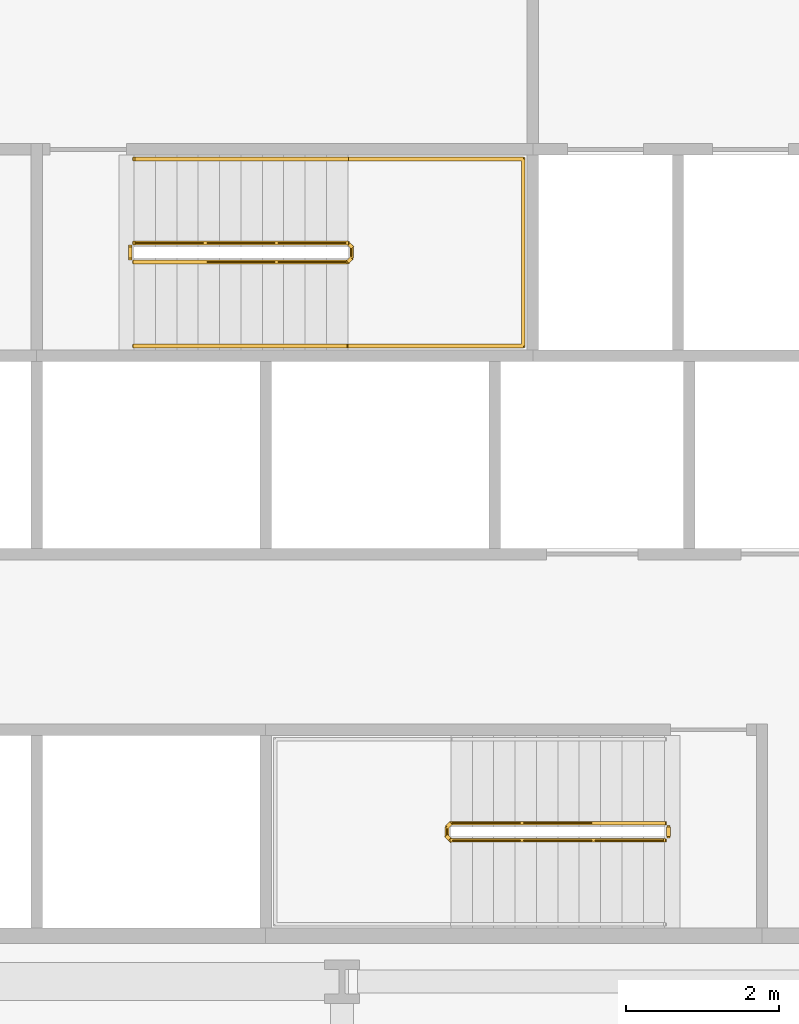
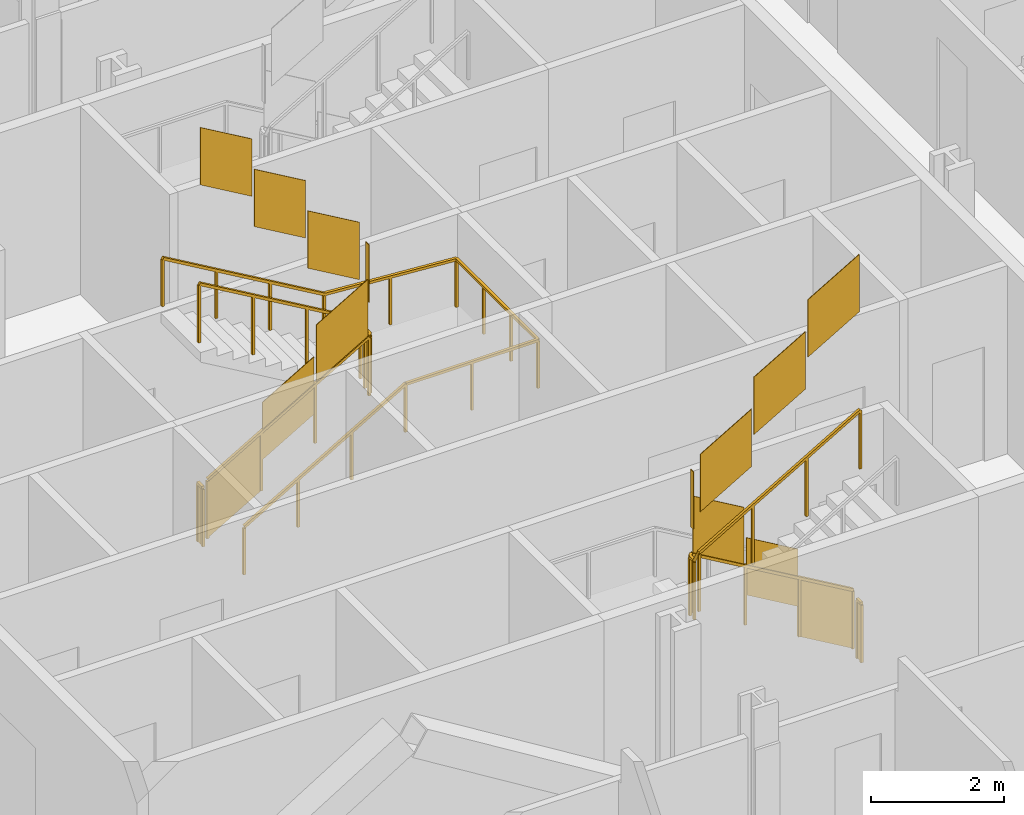
# One storey, part 18 of 21: 5 railings.
"""IFC4 building model written with IfcOpenShell, lengths in metres."""

import ifcopenshell
import ifcopenshell.guid

model = None  # the IFC model being written
_history = None  # IfcOwnerHistory: only IFC2X3 demands one
_inside = {}  # id of a spatial element -> (the spatial element, [elements in it])
_under = {}  # id of a project, library or spatial element -> (it, [spatial elements below it])
_declared = {}  # id of a project -> (the project, [libraries it declares])
_typed = {}  # id of a type object -> (the type object, [elements of that type])
_made_of = {}  # id of a material, layer set ... -> (it, [elements and type objects made of it])


def new_model(schema):
    """Start an empty IFC model of exactly this schema.

    Asked for "IFC4X3", IfcOpenShell would pick the latest addendum, in which some entities
    have other attributes; the version numbers below select the first issue.
    IFC2X3 requires an IfcOwnerHistory on every rooted entity: one is made here for all.
    """
    global model, _history
    if schema == "IFC4X3":
        model = ifcopenshell.file(schema_version=(4, 3, 0, 0))
    else:
        model = ifcopenshell.file(schema=schema)
    _inside.clear()
    _under.clear()
    _declared.clear()
    _typed.clear()
    _made_of.clear()
    _history = None
    if model.schema == "IFC2X3":
        org = make("IfcOrganization", Name="unknown")
        user = make(
            "IfcPersonAndOrganization",
            ThePerson=make("IfcPerson", FamilyName="unknown"),
            TheOrganization=org,
        )
        app = make(
            "IfcApplication",
            ApplicationDeveloper=org,
            Version="unknown",
            ApplicationFullName="unknown",
            ApplicationIdentifier="unknown",
        )
        _history = make(
            "IfcOwnerHistory",
            OwningUser=user,
            OwningApplication=app,
            ChangeAction="ADDED",
            CreationDate=0,
        )
    return model


def make(cls, **values):
    """One entity of the class cls with the attributes given. An attribute that is None is left unset."""
    return model.create_entity(
        cls, **{name: value for name, value in values.items() if value is not None}
    )


def rooted(cls, **values):
    """An entity with a GlobalId (a new one), such as an element, a storey or a relation."""
    return make(cls, GlobalId=ifcopenshell.guid.new(), OwnerHistory=_history, **values)


def si_unit(unit_type, name, prefix=None):
    """IfcSIUnit, for example si_unit("LENGTHUNIT", "METRE", prefix="MILLI")."""
    return make("IfcSIUnit", UnitType=unit_type, Prefix=prefix, Name=name)


def assignment(units):
    """IfcUnitAssignment: the units of a project."""
    return None if units is None else make("IfcUnitAssignment", Units=units)


def point(xyz):
    """IfcCartesianPoint."""
    return None if xyz is None else make("IfcCartesianPoint", Coordinates=xyz)


def direction(xyz):
    """IfcDirection."""
    return None if xyz is None else make("IfcDirection", DirectionRatios=xyz)


def frame(location, z_axis=None, x_axis=None):
    """IfcAxis2Placement3D, a coordinate frame: its origin and axes. An axis left out is left unset."""
    return make(
        "IfcAxis2Placement3D",
        Location=point(location),
        Axis=direction(z_axis),
        RefDirection=direction(x_axis),
    )


def frame_2d(location, x_axis=None):
    """IfcAxis2Placement2D, a coordinate frame in the plane: its origin and x axis."""
    return make(
        "IfcAxis2Placement2D", Location=point(location), RefDirection=direction(x_axis)
    )


def origin():
    """The frame at (0, 0, 0) with its axes left unset."""
    return frame((0.0, 0.0, 0.0))


def origin_2d():
    """The frame at (0, 0) in the plane with its x axis left unset."""
    return frame_2d((0.0, 0.0))


def place(relative_to, where):
    """IfcLocalPlacement: puts the frame where relative to a parent placement (None: the world)."""
    return make(
        "IfcLocalPlacement", PlacementRelTo=relative_to, RelativePlacement=where
    )


def context(
    kind, dimensions, precision=None, world=None, true_north=None, identifier=None
):
    """IfcGeometricRepresentationContext, for example the 3D "Model" context."""
    return make(
        "IfcGeometricRepresentationContext",
        ContextIdentifier=identifier,
        ContextType=kind,
        CoordinateSpaceDimension=dimensions,
        Precision=precision,
        WorldCoordinateSystem=world,
        TrueNorth=true_north,
    )


def subcontext(parent, identifier, kind, view, scale=None):
    """IfcGeometricRepresentationSubContext, for example "Body" below "Model"."""
    return make(
        "IfcGeometricRepresentationSubContext",
        ContextIdentifier=identifier,
        ContextType=kind,
        ParentContext=parent,
        TargetScale=scale,
        TargetView=view,
    )


def project(units=None, contexts=None):
    """IfcProject with its units and contexts."""
    return rooted(
        "IfcProject",
        Name="project",
        RepresentationContexts=contexts,
        UnitsInContext=assignment(units),
    )


def spatial(cls, under=None, at=None, **own):
    """A site, building, storey or space (cls), placed at a placement, below another one or the project."""
    s = rooted(cls, ObjectPlacement=at, **own)
    if under is not None:
        _under.setdefault(under.id(), (under, []))[1].append(s)
    return s


def polyline(points):
    """IfcPolyline through the points."""
    return make("IfcPolyline", Points=[point(p) for p in points])


def profile(cls, at=None, kind="AREA", **sizes):
    """A parametric profile (cls). Its sizes go by their IFC names, for example OverallWidth=200.0."""
    return make(cls, ProfileType=kind, Position=at, **sizes)


def rectangle(**sizes):
    """IfcRectangleProfileDef."""
    return profile("IfcRectangleProfileDef", **sizes)


def outline(outer, holes=None, kind="AREA"):
    """IfcArbitraryClosedProfileDef: a profile drawn as a closed curve; with holes, ...WithVoids."""
    if holes is None:
        return make("IfcArbitraryClosedProfileDef", ProfileType=kind, OuterCurve=outer)
    return make(
        "IfcArbitraryProfileDefWithVoids",
        ProfileType=kind,
        OuterCurve=outer,
        InnerCurves=holes,
    )


def extrude(swept, where, along, depth):
    """IfcExtrudedAreaSolid: the profile swept, set in the frame where, extruded along a direction by depth."""
    return make(
        "IfcExtrudedAreaSolid",
        SweptArea=swept,
        Position=where,
        ExtrudedDirection=direction(along),
        Depth=depth,
    )


def shape(context_of_items, identifier, shape_type, items):
    """IfcShapeRepresentation: the items that make up one representation, for example the "Body"."""
    return make(
        "IfcShapeRepresentation",
        ContextOfItems=context_of_items,
        RepresentationIdentifier=identifier,
        RepresentationType=shape_type,
        Items=items,
    )


def material(Name=None, Category=None):
    """IfcMaterial."""
    return make("IfcMaterial", Name=Name, Category=Category)


def made_of(thing, what):
    """Note that an element or type object is made of a material, layer set ...; save() writes the relation."""
    if what is not None:
        _made_of.setdefault(what.id(), (what, []))[1].append(thing)
    return thing


def type_object(cls, material=None, **own):
    """A type object (cls), such as IfcWallType, which elements share."""
    return made_of(rooted(cls, **own), material)


def element(
    cls,
    number,
    at=None,
    inside=None,
    cuts=None,
    type_object=None,
    material=None,
    context=None,
    identifier="Body",
    shape_type=None,
    held_by="IfcProductDefinitionShape",
    body=None,
    shapes=None,
    **own,
):
    """One element of the class cls, such as IfcWall. Its Tag is "e" and its number.

    at: its placement. inside: the storey or other place that contains it. cuts: it is an
    opening in that element (IfcRelVoidsElement). A single representation is given by context,
    identifier, shape_type and body (its items); several are given by shapes. held_by: the class
    of the entity that holds the representations. save() writes the other relations.
    """
    e = rooted(cls, Tag="e%d" % number, ObjectPlacement=at, **own)
    if body is not None:
        shapes = [shape(context, identifier, shape_type, body)]
    if shapes is not None:
        e.Representation = make(held_by, Representations=shapes)
    if inside is not None:
        _inside.setdefault(inside.id(), (inside, []))[1].append(e)
    if cuts is not None:
        rooted(
            "IfcRelVoidsElement", RelatingBuildingElement=cuts, RelatedOpeningElement=e
        )
    if type_object is not None:
        _typed.setdefault(type_object.id(), (type_object, []))[1].append(e)
    return made_of(e, material)


def aggregate(whole, parts):
    """IfcRelAggregates: a whole, such as a stair, and the parts it consists of."""
    return rooted("IfcRelAggregates", RelatingObject=whole, RelatedObjects=parts)


def save(model, path):
    """Write the relations noted so far, then the file.

    IfcRelAggregates (storeys below a building ...), IfcRelContainedInSpatialStructure (elements
    in a storey), IfcRelDefinesByType, IfcRelAssociatesMaterial and IfcRelDeclares: one each for
    every whole, place, type object, material and project.
    """
    for whole, parts in _under.values():
        aggregate(whole, parts)
    for where, things in _inside.values():
        rooted(
            "IfcRelContainedInSpatialStructure",
            RelatedElements=things,
            RelatingStructure=where,
        )
    for kind, things in _typed.values():
        rooted("IfcRelDefinesByType", RelatedObjects=things, RelatingType=kind)
    for what, things in _made_of.values():
        rooted("IfcRelAssociatesMaterial", RelatedObjects=things, RelatingMaterial=what)
    for by, libraries in _declared.values():
        rooted("IfcRelDeclares", RelatingContext=by, RelatedDefinitions=libraries)
    model.write(path)


model = new_model("IFC4")

# Units and contexts
model_context = context("Model", 3, precision=1e-05, world=origin(), true_north=direction((0.0, 1.0)))
body_context = subcontext(model_context, "Body", "Model", "MODEL_VIEW")
ifc_project = project(units=[si_unit("LENGTHUNIT", "METRE"), si_unit("AREAUNIT", "SQUARE_METRE"), si_unit("VOLUMEUNIT", "CUBIC_METRE"), si_unit("PLANEANGLEUNIT", "RADIAN"), si_unit("MASSUNIT", "GRAM", prefix="KILO")], contexts=[model_context])

# Site, building, storey
site_placement = place(None, origin())
site = spatial("IfcSite", under=ifc_project, at=site_placement, CompositionType="ELEMENT")
building_placement = place(site_placement, origin())
building = spatial("IfcBuilding", under=site, at=building_placement, Name="Cairn Pilgrim Tower", CompositionType="ELEMENT")
storey_placement = place(building_placement, frame((0.0, 0.0, 58.199951171875)))
storey = spatial("IfcBuildingStorey", under=building, at=storey_placement, Name="L12", CompositionType="ELEMENT", Elevation=58.199951171875)

# Railings
ifc_material = material(Name="Painted steel", Category="steel")
railing_type_1 = type_object("IfcRailingType", Name="STAIR GUARD 1100", PredefinedType="GUARDRAIL", material=ifc_material)
railing_1_placement = place(storey_placement, frame((11.425048828125, -3.925048828125, 0.16357421875)))
element("IfcRailing", 1, at=railing_1_placement, inside=storey, type_object=railing_type_1, Name="L12 ST-A stair guard 1", PredefinedType="GUARDRAIL", context=body_context, shape_type="SweptSolid", body=[
    extrude(rectangle(XDim=0.048095703125, YDim=0.048095703125, at=origin_2d()), frame((0.0, 0.0, 1.076171875), z_axis=(-0.863360870873, 0.0, 0.504586966384), x_axis=(0.0, -1.0, 0.0)), (0.0, 0.0, 1.0), 3.2431640625),
    extrude(rectangle(XDim=0.048095703125, YDim=0.048095703125, at=origin_2d()), frame((-2.800048828125, 0.0, 2.71240234375), z_axis=(-0.707106781187, -0.707106781187, 0.0), x_axis=(0.707106781187, -0.707106781187, 0.0)), (0.0, 0.0, 1.0), 0.07080078125),
    extrude(rectangle(XDim=0.048095703125, YDim=0.048095703125, at=origin_2d()), frame((-2.85009765625, -0.050048828125, 2.71240234375), z_axis=(0.0, -1.0, 0.0), x_axis=(1.0, 0.0, 0.0)), (0.0, 0.0, 1.0), 0.125),
    extrude(rectangle(XDim=0.048095703125, YDim=0.048095703125, at=origin_2d()), frame((-2.85009765625, -0.175048828125, 2.71240234375), z_axis=(0.280916556609, -0.279546231943, 0.91811752648), x_axis=(0.705375805398, 0.708833529934, 0.0)), (0.0, 0.0, 1.0), 0.17822265625),
    extrude(rectangle(XDim=0.048095703125, YDim=0.048095703125, at=origin_2d()), frame((-2.800048828125, -0.224853515625, 2.8759765625), z_axis=(0.863360870873, 0.0, 0.504586966384), x_axis=(0.0, 1.0, 0.0)), (0.0, 0.0, 1.0), 3.2431640625),
    extrude(rectangle(XDim=0.0419921875, YDim=0.0419921875, at=origin_2d()), origin(), (0.0, 0.0, 1.0), 1.052001953125),
    extrude(rectangle(XDim=0.0419921875, YDim=0.0419921875, at=origin_2d()), frame((-0.933349609375, 0.0, 0.54541015625)), (0.0, 0.0, 1.0), 1.052001953125),
    extrude(rectangle(XDim=0.0419921875, YDim=0.0419921875, at=origin_2d()), frame((-1.86669921875, 0.0, 1.091064453125)), (0.0, 0.0, 1.0), 1.052001953125),
    extrude(rectangle(XDim=0.0419921875, YDim=0.0419921875, at=origin_2d()), frame((-2.800048828125, 0.0, 1.636474609375)), (0.0, 0.0, 1.0), 1.052001953125),
    extrude(rectangle(XDim=0.0419921875, YDim=0.0419921875, at=origin_2d()), frame((-2.85009765625, -0.050048828125, 1.636474609375)), (0.0, 0.0, 1.0), 1.052001953125),
    extrude(rectangle(XDim=0.0419921875, YDim=0.0419921875, at=origin_2d()), frame((-2.85009765625, -0.175048828125, 1.636474609375)), (0.0, 0.0, 1.0), 1.052001953125),
    extrude(rectangle(XDim=0.0419921875, YDim=0.0419921875, at=origin_2d()), frame((-2.800048828125, -0.224853515625, 1.800048828125)), (0.0, 0.0, 1.0), 1.052001953125),
    extrude(rectangle(XDim=0.0419921875, YDim=0.0419921875, at=origin_2d()), frame((-1.86669921875, -0.224853515625, 2.345458984375)), (0.0, 0.0, 1.0), 1.052001953125),
    extrude(rectangle(XDim=0.0419921875, YDim=0.0419921875, at=origin_2d()), frame((-0.933349609375, -0.224853515625, 2.89111328125)), (0.0, 0.0, 1.0), 1.052001953125),
    extrude(rectangle(XDim=0.0419921875, YDim=0.0419921875, at=origin_2d()), frame((0.0, -0.224853515625, 3.4365234375)), (0.0, 0.0, 1.0), 1.052001953125),
    extrude(outline(polyline([(0.02099609375, 0.01220703125), (0.912353515625, 0.533203125), (0.912353515625, 1.585205078125), (0.02099609375, 1.064208984375), (0.02099609375, 0.01220703125)])), frame((0.0, -0.005859375, 0.0), z_axis=(0.0, 1.0, 0.0), x_axis=(-1.0, 0.0, 0.0)), (0.0, 0.0, 1.0), 0.011962890625),
    extrude(outline(polyline([(0.02099609375, 0.557861328125), (0.912353515625, 1.07861328125), (0.912353515625, 2.130615234375), (0.02099609375, 1.60986328125), (0.02099609375, 0.557861328125)])), frame((-0.933349609375, -0.005859375, 0.54541015625), z_axis=(0.0, 1.0, 0.0), x_axis=(-1.0, 0.0, 0.0)), (0.0, 0.0, 1.0), 0.011962890625),
    extrude(outline(polyline([(0.02099609375, 1.103271484375), (0.912353515625, 1.624267578125), (0.912353515625, 2.67626953125), (0.02099609375, 2.1552734375), (0.02099609375, 1.103271484375)])), frame((-1.86669921875, -0.005859375, 1.091064453125), z_axis=(0.0, 1.0, 0.0), x_axis=(-1.0, 0.0, 0.0)), (0.0, 0.0, 1.0), 0.011962890625),
    extrude(outline(polyline([(0.02099609375, 1.636474609375), (0.10400390625, 1.636474609375), (0.10400390625, 2.6884765625), (0.02099609375, 2.6884765625), (0.02099609375, 1.636474609375)])), frame((-2.84423828125, -0.050048828125, 1.636474609375), z_axis=(-1.0, 0.0, 0.0), x_axis=(0.0, -1.0, 0.0)), (0.0, 0.0, 1.0), 0.011962890625),
    extrude(outline(polyline([(0.02099609375, 1.812255859375), (0.912353515625, 2.333251953125), (0.912353515625, 3.38525390625), (0.02099609375, 2.8642578125), (0.02099609375, 1.812255859375)])), frame((-2.800048828125, -0.21875, 1.800048828125), z_axis=(0.0, -1.0, 0.0), x_axis=(1.0, 0.0, 0.0)), (0.0, 0.0, 1.0), 0.011962890625),
    extrude(outline(polyline([(0.02099609375, 2.35791015625), (0.912353515625, 2.878662109375), (0.912353515625, 3.9306640625), (0.02099609375, 3.409912109375), (0.02099609375, 2.35791015625)])), frame((-1.86669921875, -0.21875, 2.345458984375), z_axis=(0.0, -1.0, 0.0), x_axis=(1.0, 0.0, 0.0)), (0.0, 0.0, 1.0), 0.011962890625),
    extrude(outline(polyline([(0.02099609375, 2.9033203125), (0.912353515625, 3.42431640625), (0.912353515625, 4.476318359375), (0.02099609375, 3.955322265625), (0.02099609375, 2.9033203125)])), frame((-0.933349609375, -0.21875, 2.89111328125), z_axis=(0.0, -1.0, 0.0), x_axis=(1.0, 0.0, 0.0)), (0.0, 0.0, 1.0), 0.011962890625),
])
railing_2_placement = place(storey_placement, frame((11.47509765625, -3.97509765625, 0.0)))
element("IfcRailing", 2, at=railing_2_placement, inside=storey, type_object=railing_type_1, Name="L12 ST-A stair guard 2", PredefinedType="GUARDRAIL", context=body_context, shape_type="SweptSolid", body=[
    extrude(rectangle(XDim=0.048095703125, YDim=0.048095703125, at=origin_2d()), frame((0.0, 0.0, 1.076171875), z_axis=(0.0, -1.0, 0.0), x_axis=(1.0, 0.0, 0.0)), (0.0, 0.0, 1.0), 0.125),
    extrude(rectangle(XDim=0.0419921875, YDim=0.0419921875, at=origin_2d()), origin(), (0.0, 0.0, 1.0), 1.052001953125),
    extrude(rectangle(XDim=0.0419921875, YDim=0.0419921875, at=origin_2d()), frame((0.0, -0.125, 0.0)), (0.0, 0.0, 1.0), 1.052001953125),
    extrude(outline(polyline([(0.02099609375, 0.0), (0.10400390625, 0.0), (0.10400390625, 1.052001953125), (0.02099609375, 1.052001953125), (0.02099609375, 0.0)])), frame((0.005859375, 0.0, 0.0), z_axis=(-1.0, 0.0, 0.0), x_axis=(0.0, -1.0, 0.0)), (0.0, 0.0, 1.0), 0.011962890625),
])
railing_3_placement = place(storey_placement, frame((4.47509765625, 3.425048828125, 0.16357421875)))
element("IfcRailing", 3, at=railing_3_placement, inside=storey, type_object=railing_type_1, Name="L12 ST-B stair guard 1", PredefinedType="GUARDRAIL", context=body_context, shape_type="SweptSolid", body=[
    extrude(rectangle(XDim=0.048095703125, YDim=0.048095703125, at=origin_2d()), frame((0.0, 0.0, 1.076171875), z_axis=(0.863341702679, 0.0, 0.504619762213), x_axis=(0.0, 1.0, 0.0)), (0.0, 0.0, 1.0), 3.242919921875),
    extrude(rectangle(XDim=0.048095703125, YDim=0.048095703125, at=origin_2d()), frame((2.7998046875, 0.0, 2.71240234375), z_axis=(0.707106781187, 0.707106781187, 0.0), x_axis=(-0.707106781187, 0.707106781187, 0.0)), (0.0, 0.0, 1.0), 0.07080078125),
    extrude(rectangle(XDim=0.048095703125, YDim=0.048095703125, at=origin_2d()), frame((2.849853515625, 0.050048828125, 2.71240234375), z_axis=(0.0, 1.0, 0.0), x_axis=(-1.0, 0.0, 0.0)), (0.0, 0.0, 1.0), 0.14990234375),
    extrude(rectangle(XDim=0.048095703125, YDim=0.048095703125, at=origin_2d()), frame((2.849853515625, 0.199951171875, 2.71240234375), z_axis=(-0.280808744504, 0.280808744504, 0.917765164963), x_axis=(-0.707106781187, -0.707106781187, 0.0)), (0.0, 0.0, 1.0), 0.17822265625),
    extrude(rectangle(XDim=0.048095703125, YDim=0.048095703125, at=origin_2d()), frame((2.7998046875, 0.25, 2.8759765625), z_axis=(-0.863341702679, 0.0, 0.504619762213), x_axis=(0.0, -1.0, 0.0)), (0.0, 0.0, 1.0), 3.242919921875),
    extrude(rectangle(XDim=0.0419921875, YDim=0.0419921875, at=origin_2d()), origin(), (0.0, 0.0, 1.0), 1.052001953125),
    extrude(rectangle(XDim=0.0419921875, YDim=0.0419921875, at=origin_2d()), frame((0.933349609375, 0.0, 0.54541015625)), (0.0, 0.0, 1.0), 1.052001953125),
    extrude(rectangle(XDim=0.0419921875, YDim=0.0419921875, at=origin_2d()), frame((1.866455078125, 0.0, 1.091064453125)), (0.0, 0.0, 1.0), 1.052001953125),
    extrude(rectangle(XDim=0.0419921875, YDim=0.0419921875, at=origin_2d()), frame((2.7998046875, 0.0, 1.636474609375)), (0.0, 0.0, 1.0), 1.052001953125),
    extrude(rectangle(XDim=0.0419921875, YDim=0.0419921875, at=origin_2d()), frame((2.849853515625, 0.050048828125, 1.636474609375)), (0.0, 0.0, 1.0), 1.052001953125),
    extrude(rectangle(XDim=0.0419921875, YDim=0.0419921875, at=origin_2d()), frame((2.849853515625, 0.199951171875, 1.636474609375)), (0.0, 0.0, 1.0), 1.052001953125),
    extrude(rectangle(XDim=0.0419921875, YDim=0.0419921875, at=origin_2d()), frame((2.7998046875, 0.25, 1.800048828125)), (0.0, 0.0, 1.0), 1.052001953125),
    extrude(rectangle(XDim=0.0419921875, YDim=0.0419921875, at=origin_2d()), frame((1.866455078125, 0.25, 2.345458984375)), (0.0, 0.0, 1.0), 1.052001953125),
    extrude(rectangle(XDim=0.0419921875, YDim=0.0419921875, at=origin_2d()), frame((0.933349609375, 0.25, 2.89111328125)), (0.0, 0.0, 1.0), 1.052001953125),
    extrude(rectangle(XDim=0.0419921875, YDim=0.0419921875, at=origin_2d()), frame((0.0, 0.25, 3.4365234375)), (0.0, 0.0, 1.0), 1.052001953125),
    extrude(outline(polyline([(0.02099609375, 0.01220703125), (0.912353515625, 0.533203125), (0.912353515625, 1.585205078125), (0.02099609375, 1.064208984375), (0.02099609375, 0.01220703125)])), frame((0.0, 0.005859375, 0.0), z_axis=(0.0, -1.0, 0.0), x_axis=(1.0, 0.0, 0.0)), (0.0, 0.0, 1.0), 0.011962890625),
    extrude(outline(polyline([(0.02099609375, 0.557861328125), (0.912353515625, 1.07861328125), (0.912353515625, 2.130615234375), (0.02099609375, 1.60986328125), (0.02099609375, 0.557861328125)])), frame((0.933349609375, 0.005859375, 0.54541015625), z_axis=(0.0, -1.0, 0.0), x_axis=(1.0, 0.0, 0.0)), (0.0, 0.0, 1.0), 0.011962890625),
    extrude(outline(polyline([(0.02099609375, 1.103271484375), (0.912353515625, 1.624267578125), (0.912353515625, 2.67626953125), (0.02099609375, 2.1552734375), (0.02099609375, 1.103271484375)])), frame((1.866455078125, 0.005859375, 1.091064453125), z_axis=(0.0, -1.0, 0.0), x_axis=(1.0, 0.0, 0.0)), (0.0, 0.0, 1.0), 0.011962890625),
    extrude(outline(polyline([(0.02099609375, 1.636474609375), (0.12890625, 1.636474609375), (0.12890625, 2.6884765625), (0.02099609375, 2.6884765625), (0.02099609375, 1.636474609375)])), frame((2.84375, 0.050048828125, 1.636474609375), z_axis=(1.0, 0.0, 0.0), x_axis=(0.0, 1.0, 0.0)), (0.0, 0.0, 1.0), 0.011962890625),
    extrude(outline(polyline([(0.02099609375, 1.812255859375), (0.912353515625, 2.333251953125), (0.912353515625, 3.38525390625), (0.02099609375, 2.8642578125), (0.02099609375, 1.812255859375)])), frame((2.7998046875, 0.244140625, 1.800048828125), z_axis=(0.0, 1.0, 0.0), x_axis=(-1.0, 0.0, 0.0)), (0.0, 0.0, 1.0), 0.011962890625),
    extrude(outline(polyline([(0.02099609375, 2.35791015625), (0.912353515625, 2.878662109375), (0.912353515625, 3.9306640625), (0.02099609375, 3.409912109375), (0.02099609375, 2.35791015625)])), frame((1.866455078125, 0.244140625, 2.345458984375), z_axis=(0.0, 1.0, 0.0), x_axis=(-1.0, 0.0, 0.0)), (0.0, 0.0, 1.0), 0.011962890625),
    extrude(outline(polyline([(0.02099609375, 2.9033203125), (0.912353515625, 3.42431640625), (0.912353515625, 4.476318359375), (0.02099609375, 3.955322265625), (0.02099609375, 2.9033203125)])), frame((0.933349609375, 0.244140625, 2.89111328125), z_axis=(0.0, 1.0, 0.0), x_axis=(-1.0, 0.0, 0.0)), (0.0, 0.0, 1.0), 0.011962890625),
])
railing_4_placement = place(storey_placement, frame((4.425048828125, 3.47509765625, 0.0)))
element("IfcRailing", 4, at=railing_4_placement, inside=storey, type_object=railing_type_1, Name="L12 ST-B stair guard 2", PredefinedType="GUARDRAIL", context=body_context, shape_type="SweptSolid", body=[
    extrude(rectangle(XDim=0.048095703125, YDim=0.048095703125, at=origin_2d()), frame((0.0, 0.0, 1.076171875), z_axis=(0.0, 1.0, 0.0), x_axis=(-1.0, 0.0, 0.0)), (0.0, 0.0, 1.0), 0.14990234375),
    extrude(rectangle(XDim=0.0419921875, YDim=0.0419921875, at=origin_2d()), origin(), (0.0, 0.0, 1.0), 1.052001953125),
    extrude(rectangle(XDim=0.0419921875, YDim=0.0419921875, at=origin_2d()), frame((0.0, 0.14990234375, 0.0)), (0.0, 0.0, 1.0), 1.052001953125),
    extrude(outline(polyline([(0.02099609375, 0.0), (0.12890625, 0.0), (0.12890625, 1.052001953125), (0.02099609375, 1.052001953125), (0.02099609375, 0.0)])), frame((-0.005859375, 0.0, 0.0), z_axis=(1.0, 0.0, 0.0), x_axis=(0.0, 1.0, 0.0)), (0.0, 0.0, 1.0), 0.011962890625),
])
railing_type_2 = type_object("IfcRailingType", Name="STAIR HANDRAIL 900", PredefinedType="HANDRAIL", material=ifc_material)
railing_5_placement = place(storey_placement, frame((4.47509765625, 2.324951171875, 0.16357421875)))
element("IfcRailing", 5, at=railing_5_placement, inside=storey, type_object=railing_type_2, Name="L12 ST-B stair handrail 1", PredefinedType="HANDRAIL", context=body_context, shape_type="SweptSolid", body=[
    extrude(rectangle(XDim=0.048095703125, YDim=0.048095703125, at=origin_2d()), frame((0.0, 0.0, 0.8759765625), z_axis=(0.863341702679, 0.0, 0.504619762213), x_axis=(0.0, 1.0, 0.0)), (0.0, 0.0, 1.0), 3.242919921875),
    extrude(rectangle(XDim=0.048095703125, YDim=0.048095703125, at=origin_2d()), frame((2.7998046875, 0.0, 2.51220703125), z_axis=(1.0, 0.0, 0.0), x_axis=(0.0, 1.0, 0.0)), (0.0, 0.0, 1.0), 2.300048828125),
    extrude(rectangle(XDim=0.048095703125, YDim=0.048095703125, at=origin_2d()), frame((5.099853515625, 0.0, 2.51220703125), z_axis=(0.0, 1.0, 0.0), x_axis=(-1.0, 0.0, 0.0)), (0.0, 0.0, 1.0), 2.449951171875),
    extrude(rectangle(XDim=0.048095703125, YDim=0.048095703125, at=origin_2d()), frame((5.099853515625, 2.449951171875, 2.51220703125), z_axis=(-0.997480687736, 0.0, 0.070938548008), x_axis=(0.0, -1.0, 0.0)), (0.0, 0.0, 1.0), 2.305908203125),
    extrude(rectangle(XDim=0.048095703125, YDim=0.048095703125, at=origin_2d()), frame((2.7998046875, 2.449951171875, 2.67578125), z_axis=(-0.863341702679, 0.0, 0.504619762213), x_axis=(0.0, -1.0, 0.0)), (0.0, 0.0, 1.0), 3.242919921875),
    extrude(rectangle(XDim=0.0419921875, YDim=0.0419921875, at=origin_2d()), origin(), (0.0, 0.0, 1.0), 0.851806640625),
    extrude(rectangle(XDim=0.0419921875, YDim=0.0419921875, at=origin_2d()), frame((0.933349609375, 0.0, 0.54541015625)), (0.0, 0.0, 1.0), 0.851806640625),
    extrude(rectangle(XDim=0.0419921875, YDim=0.0419921875, at=origin_2d()), frame((1.866455078125, 0.0, 1.091064453125)), (0.0, 0.0, 1.0), 0.851806640625),
    extrude(rectangle(XDim=0.0419921875, YDim=0.0419921875, at=origin_2d()), frame((2.7998046875, 0.0, 1.636474609375)), (0.0, 0.0, 1.0), 0.851806640625),
    extrude(rectangle(XDim=0.0419921875, YDim=0.0419921875, at=origin_2d()), frame((3.94970703125, 0.0, 1.636474609375)), (0.0, 0.0, 1.0), 0.851806640625),
    extrude(rectangle(XDim=0.0419921875, YDim=0.0419921875, at=origin_2d()), frame((5.099853515625, 0.0, 1.636474609375)), (0.0, 0.0, 1.0), 0.851806640625),
    extrude(rectangle(XDim=0.0419921875, YDim=0.0419921875, at=origin_2d()), frame((5.099853515625, 0.816650390625, 1.636474609375)), (0.0, 0.0, 1.0), 0.851806640625),
    extrude(rectangle(XDim=0.0419921875, YDim=0.0419921875, at=origin_2d()), frame((5.099853515625, 1.63330078125, 1.636474609375)), (0.0, 0.0, 1.0), 0.851806640625),
    extrude(rectangle(XDim=0.0419921875, YDim=0.0419921875, at=origin_2d()), frame((5.099853515625, 2.449951171875, 1.636474609375)), (0.0, 0.0, 1.0), 0.851806640625),
    extrude(rectangle(XDim=0.0419921875, YDim=0.0419921875, at=origin_2d()), frame((3.94970703125, 2.449951171875, 1.71826171875)), (0.0, 0.0, 1.0), 0.851806640625),
    extrude(rectangle(XDim=0.0419921875, YDim=0.0419921875, at=origin_2d()), frame((2.7998046875, 2.449951171875, 1.800048828125)), (0.0, 0.0, 1.0), 0.851806640625),
    extrude(rectangle(XDim=0.0419921875, YDim=0.0419921875, at=origin_2d()), frame((1.866455078125, 2.449951171875, 2.345458984375)), (0.0, 0.0, 1.0), 0.851806640625),
    extrude(rectangle(XDim=0.0419921875, YDim=0.0419921875, at=origin_2d()), frame((0.933349609375, 2.449951171875, 2.89111328125)), (0.0, 0.0, 1.0), 0.851806640625),
    extrude(rectangle(XDim=0.0419921875, YDim=0.0419921875, at=origin_2d()), frame((0.0, 2.449951171875, 3.4365234375)), (0.0, 0.0, 1.0), 0.851806640625),
])

save(model, "model.ifc")
